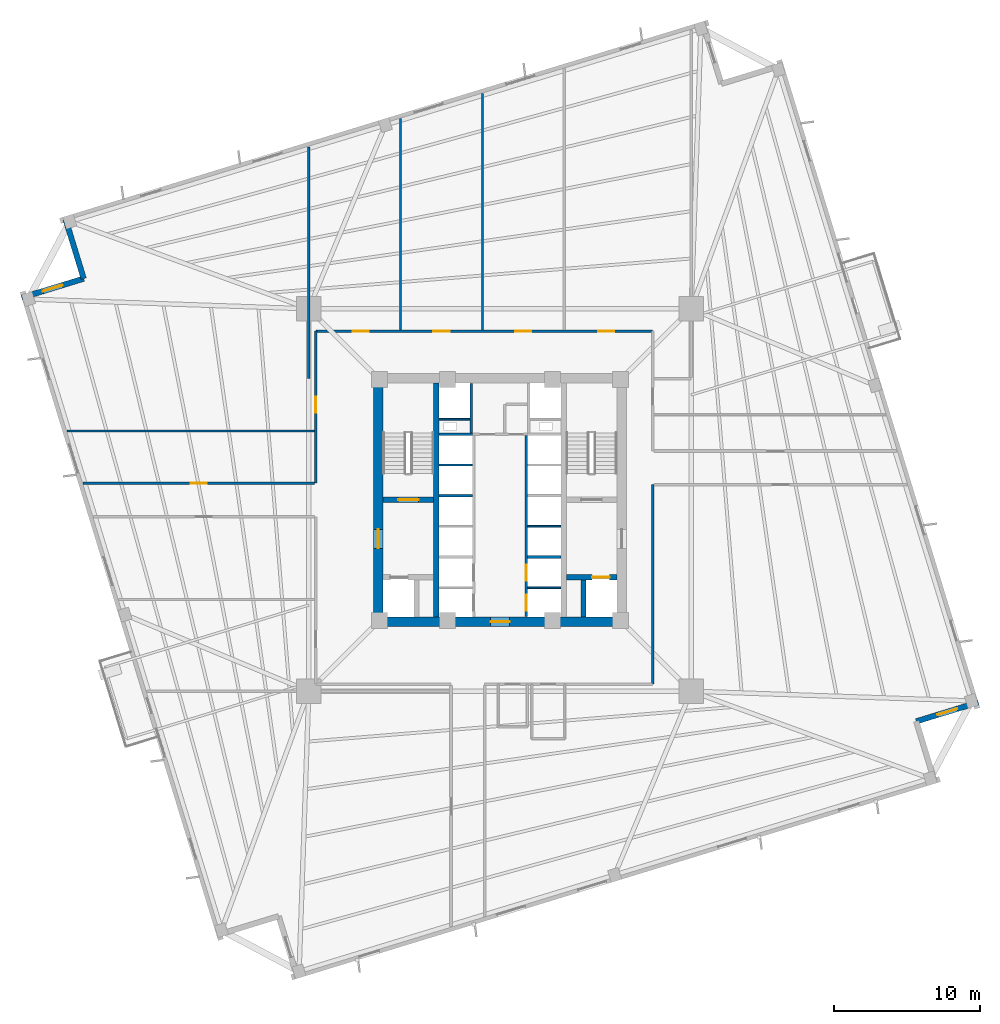
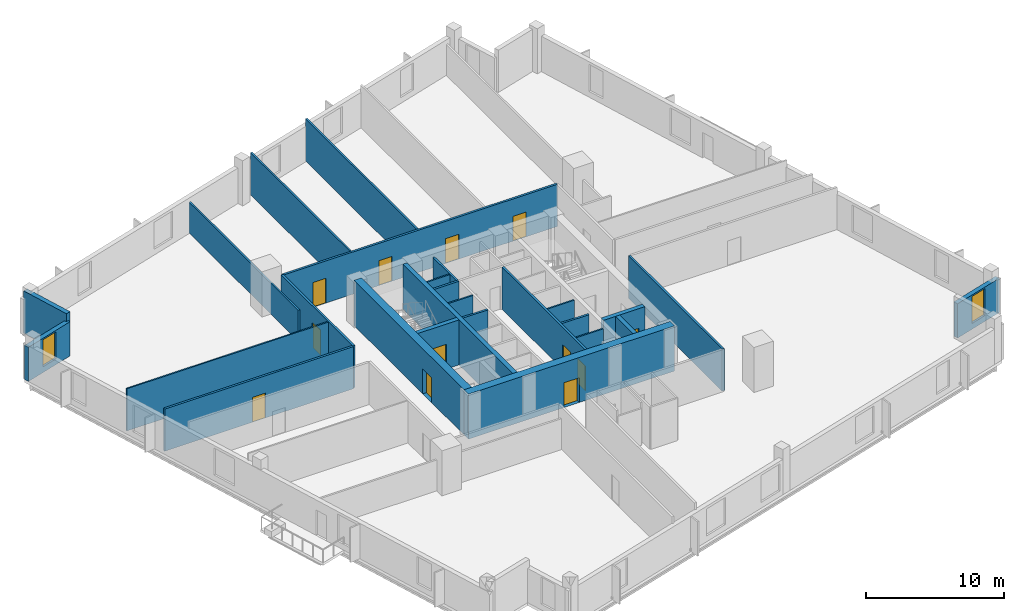
# One storey, part 4 of 9: 26 walls, 12 doors, 2 windows, 14 openings.
"""IFC4 building model written with IfcOpenShell, lengths in metres."""

from ifc_helpers import new_model, si_unit, direction, frame, frame_2d, origin, place, context, subcontext, project, spatial, rectangle, extrude, source, transform, mapped, material, layer, layer_set, type_object, element, fill, save


model = new_model("IFC4")

# Units and contexts
model_context = context("Model", 3, precision=1e-05, world=origin(), true_north=direction((0.0, 1.0)))
body_context = subcontext(model_context, "Body", "Model", "MODEL_VIEW")
ifc_project = project(units=[si_unit("LENGTHUNIT", "METRE"), si_unit("AREAUNIT", "SQUARE_METRE"), si_unit("VOLUMEUNIT", "CUBIC_METRE"), si_unit("PLANEANGLEUNIT", "RADIAN"), si_unit("MASSUNIT", "GRAM", prefix="KILO"), si_unit("THERMODYNAMICTEMPERATUREUNIT", "KELVIN")], contexts=[model_context])

# Site, building, storey
site_placement = place(None, origin())
site = spatial("IfcSite", under=ifc_project, at=site_placement, CompositionType="ELEMENT")
building_placement = place(site_placement, origin())
building = spatial("IfcBuilding", under=site, at=building_placement, Name="Kosmvard Interchange Tower", CompositionType="ELEMENT")
storey_placement = place(building_placement, frame((0.0, 0.0, 83.199951171875)))
storey = spatial("IfcBuildingStorey", under=building, at=storey_placement, Name="L19", CompositionType="ELEMENT", Elevation=83.199951171875)

# Walls
ifc_material_1 = material(Name="Acoustic gypsum partition system")
ifc_layer_1 = layer(ifc_material_1, 0.14990234375, Name="Acoustic gypsum partition system")
ifc_layer_set_1 = layer_set([ifc_layer_1], Name="Acoustic gypsum partition system")
wall_type_1 = type_object("IfcWallType", Name="Acoustic Suite & Meeting Partition 150", PredefinedType="PARTITIONING", material=ifc_layer_set_1)
wall_1_placement = place(storey_placement, frame((-13.0810546875, 8.300048828125, 0.0), z_axis=(0.0, 0.0, 1.0), x_axis=(0.0, 1.0, 0.0)))
element("IfcWall", 1, at=wall_1_placement, inside=storey, type_object=wall_type_1, Name="L19 Room Partition 02.1", PredefinedType="PARTITIONING", context=body_context, shape_type="SweptSolid", body=[
    extrude(rectangle(XDim=15.866455078125, YDim=0.14990234375, at=frame_2d((7.93310546875, 0.0))), origin(), (0.0, 0.0, 1.0), 2.73193359375),
])
wall_2_placement = place(storey_placement, frame((-6.800048828125, 11.64501953125, 0.0), z_axis=(0.0, 0.0, 1.0), x_axis=(0.0, 1.0, 0.0)))
element("IfcWall", 2, at=wall_2_placement, inside=storey, type_object=wall_type_1, Name="L19 Room Partition 03.1", PredefinedType="PARTITIONING", context=body_context, shape_type="SweptSolid", body=[
    extrude(rectangle(XDim=14.441650390625, YDim=0.14990234375, at=frame_2d((7.220703125, 0.0))), origin(), (0.0, 0.0, 1.0), 3.739990234375),
])
wall_3_placement = place(storey_placement, frame((-1.199951171875, 11.64501953125, 0.0), z_axis=(0.0, 0.0, 1.0), x_axis=(0.0, 1.0, 0.0)))
element("IfcWall", 3, at=wall_3_placement, inside=storey, type_object=wall_type_1, Name="L19 Room Partition 04.1", PredefinedType="PARTITIONING", context=body_context, shape_type="SweptSolid", body=[
    extrude(rectangle(XDim=16.15380859375, YDim=0.14990234375, at=frame_2d((8.076904296875, 0.0))), origin(), (0.0, 0.0, 1.0), 3.739990234375),
])
ifc_material_2 = material(Name="Fire-rated gypsum partition system")
ifc_layer_2 = layer(ifc_material_2, 0.159912109375, Name="Fire-rated gypsum partition system")
ifc_layer_set_2 = layer_set([ifc_layer_2], Name="Fire-rated gypsum partition system")
wall_type_2 = type_object("IfcWallType", Name="Core Compartment & Shuttle Lobby Partition 160", PredefinedType="PARTITIONING", material=ifc_layer_set_2)
wall_4_placement = place(storey_placement, frame((-1.9599609375, 4.580078125, 0.0), z_axis=(0.0, 0.0, 1.0), x_axis=(0.0, 1.0, 0.0)))
element("IfcWall", 4, at=wall_4_placement, inside=storey, type_object=wall_type_2, Name="L19 North Core West Wall", PredefinedType="PARTITIONING", context=body_context, shape_type="SweptSolid", body=[
    extrude(rectangle(XDim=3.39990234375, YDim=0.159912109375, at=frame_2d((1.699951171875, 0.0))), origin(), (0.0, 0.0, 1.0), 3.739990234375),
])

# Wall, openings, doors
ifc_layer_3 = layer(ifc_material_2, 0.179931640625, Name="Fire-rated gypsum partition system")
ifc_layer_set_3 = layer_set([ifc_layer_3], Name="Fire-rated gypsum partition system")
wall_type_3 = type_object("IfcWallType", Name="Corridor & Hotel Compartment Partition 180", PredefinedType="PARTITIONING", material=ifc_layer_set_3)
wall_5_placement = place(storey_placement, frame((1.7900390625, -7.97998046875, 0.0), z_axis=(0.0, 0.0, 1.0), x_axis=(0.0, 1.0, 0.0)))
wall_5 = element("IfcWall", 5, at=wall_5_placement, inside=storey, type_object=wall_type_3, Name="L19 East Lift Bank Front Wall", PredefinedType="PARTITIONING", context=body_context, shape_type="SweptSolid", body=[
    extrude(rectangle(XDim=12.3798828125, YDim=0.179931640625, at=frame_2d((6.18994140625, 0.0))), origin(), (0.0, 0.0, 1.0), 3.739990234375),
])
opening_1_placement = place(wall_5_placement, frame((0.39990234375, 0.0, 0.0)))
opening_1 = element("IfcOpeningElement", 6, at=opening_1_placement, cuts=wall_5, Name="Opening LD-PL-L3-L19", PredefinedType="OPENING", context=body_context, shape_type="SweptSolid", body=[
    extrude(rectangle(XDim=1.10009765625, YDim=2.199951171875, at=frame_2d((0.550048828125, 1.10009765625))), frame((0.0, 0.10009765625, 0.0), z_axis=(0.0, -1.0, 0.0), x_axis=(1.0, 0.0, 0.0)), (0.0, 0.0, 1.0), 0.199951171875),
])
opening_2_placement = place(wall_5_placement, frame((2.4599609375, 0.0, 0.0)))
opening_2 = element("IfcOpeningElement", 7, at=opening_2_placement, cuts=wall_5, Name="Opening LD-PL-L4-L19", PredefinedType="OPENING", context=body_context, shape_type="SweptSolid", body=[
    extrude(rectangle(XDim=1.10009765625, YDim=2.199951171875, at=frame_2d((0.550048828125, 1.10009765625))), frame((0.0, 0.10009765625, 0.0), z_axis=(0.0, -1.0, 0.0), x_axis=(1.0, 0.0, 0.0)), (0.0, 0.0, 1.0), 0.199951171875),
])
ifc_material_3 = material(Name="Brushed stainless steel sliding leaf", Category="steel")
door_type_1 = type_object("IfcDoorType", Name="Passenger Lift Sliding Landing Door 1100x2200 EI60", OperationType="DOUBLE_DOOR_SLIDING", PredefinedType="DOOR", material=ifc_material_3)
shared_shape_1 = source(origin(), body_context, "Body", "SweptSolid", [
    extrude(rectangle(XDim=1.10009765625, YDim=2.199951171875, at=frame_2d((0.550048828125, 1.10009765625))), frame((0.0, 0.02490234375, 0.0), z_axis=(0.0, -1.0, 0.0), x_axis=(1.0, 0.0, 0.0)), (0.0, 0.0, 1.0), 0.050048828125),
])
door_1_placement = place(opening_1_placement, origin())
door_1 = element("IfcDoor", 8, at=door_1_placement, inside=storey, type_object=door_type_1, Name="Lift PL-L3 Landing Door L19", OperationType="DOUBLE_DOOR_SLIDING", OverallHeight=2.199951171875, OverallWidth=1.10009765625, PredefinedType="DOOR", context=body_context, shape_type="MappedRepresentation", body=[
    mapped(shared_shape_1, transform((0.0, 0.0, 0.0), scale=1.0)),
])
fill(opening_1, door_1)
door_2_placement = place(opening_2_placement, origin())
door_2 = element("IfcDoor", 9, at=door_2_placement, inside=storey, type_object=door_type_1, Name="Lift PL-L4 Landing Door L19", OperationType="DOUBLE_DOOR_SLIDING", OverallHeight=2.199951171875, OverallWidth=1.10009765625, PredefinedType="DOOR", context=body_context, shape_type="MappedRepresentation", body=[
    mapped(shared_shape_1, transform((0.0, 0.0, 0.0), scale=1.0)),
])
fill(opening_2, door_2)

wall_6_placement = place(storey_placement, frame((-12.60009765625, 11.550048828125, 0.0), z_axis=(0.0, 0.0, 1.0), x_axis=(1.0, 0.0, 0.0)))
wall_6 = element("IfcWall", 10, at=wall_6_placement, inside=storey, type_object=wall_type_3, Name="L19 Corridor Wall CN", PredefinedType="PARTITIONING", context=body_context, shape_type="SweptSolid", body=[
    extrude(rectangle(XDim=23.050048828125, YDim=0.179931640625, at=frame_2d((11.52490234375, 0.0))), origin(), (0.0, 0.0, 1.0), 3.739990234375),
])
opening_3_placement = place(wall_6_placement, frame((2.514404296875, 0.0, 0.0)))
opening_3 = element("IfcOpeningElement", 11, at=opening_3_placement, cuts=wall_6, Name="Opening L19-D05", PredefinedType="OPENING", context=body_context, shape_type="SweptSolid", body=[
    extrude(rectangle(XDim=1.10009765625, YDim=2.199951171875, at=frame_2d((0.550048828125, 1.10009765625))), frame((0.0, 0.10009765625, 0.0), z_axis=(0.0, -1.0, 0.0), x_axis=(1.0, 0.0, 0.0)), (0.0, 0.0, 1.0), 0.199951171875),
])
opening_4_placement = place(wall_6_placement, frame((8.050048828125, 0.0, 0.0)))
opening_4 = element("IfcOpeningElement", 12, at=opening_4_placement, cuts=wall_6, Name="Opening L19-D06", PredefinedType="OPENING", context=body_context, shape_type="SweptSolid", body=[
    extrude(rectangle(XDim=1.10009765625, YDim=2.199951171875, at=frame_2d((0.550048828125, 1.10009765625))), frame((0.0, 0.10009765625, 0.0), z_axis=(0.0, -1.0, 0.0), x_axis=(1.0, 0.0, 0.0)), (0.0, 0.0, 1.0), 0.199951171875),
])
opening_5_placement = place(wall_6_placement, frame((13.64990234375, 0.0, 0.0)))
opening_5 = element("IfcOpeningElement", 13, at=opening_5_placement, cuts=wall_6, Name="Opening L19-D07", PredefinedType="OPENING", context=body_context, shape_type="SweptSolid", body=[
    extrude(rectangle(XDim=1.10009765625, YDim=2.199951171875, at=frame_2d((0.550048828125, 1.10009765625))), frame((0.0, 0.10009765625, 0.0), z_axis=(0.0, -1.0, 0.0), x_axis=(1.0, 0.0, 0.0)), (0.0, 0.0, 1.0), 0.199951171875),
])
opening_6_placement = place(wall_6_placement, frame((19.310546875, 0.0, 0.0)))
opening_6 = element("IfcOpeningElement", 14, at=opening_6_placement, cuts=wall_6, Name="Opening L19-D08", PredefinedType="OPENING", context=body_context, shape_type="SweptSolid", body=[
    extrude(rectangle(XDim=1.10009765625, YDim=2.199951171875, at=frame_2d((0.550048828125, 1.10009765625))), frame((0.0, 0.10009765625, 0.0), z_axis=(0.0, -1.0, 0.0), x_axis=(1.0, 0.0, 0.0)), (0.0, 0.0, 1.0), 0.199951171875),
])
ifc_material_4 = material(Name="Engineered oak fire-rated timber", Category="wood")
door_type_2 = type_object("IfcDoorType", Name="Office Suite Entrance Door 1100x2200 FD30S", OperationType="NOTDEFINED", PredefinedType="DOOR", material=ifc_material_4)
door_3_placement = place(opening_3_placement, origin())
door_3 = element("IfcDoor", 15, at=door_3_placement, inside=storey, type_object=door_type_2, Name="L19 Corporate Office 3 Door", OperationType="SINGLE_SWING_LEFT", OverallHeight=2.199951171875, OverallWidth=1.10009765625, PredefinedType="DOOR", context=body_context, shape_type="MappedRepresentation", body=[
    mapped(shared_shape_1, transform((0.0, 0.0, 0.0), scale=1.0)),
])
fill(opening_3, door_3)
door_4_placement = place(opening_4_placement, origin())
door_4 = element("IfcDoor", 16, at=door_4_placement, inside=storey, type_object=door_type_2, Name="L19 Corporate Office 4 Door", OperationType="SINGLE_SWING_RIGHT", OverallHeight=2.199951171875, OverallWidth=1.10009765625, PredefinedType="DOOR", context=body_context, shape_type="MappedRepresentation", body=[
    mapped(shared_shape_1, transform((0.0, 0.0, 0.0), scale=1.0)),
])
fill(opening_4, door_4)
door_5_placement = place(opening_5_placement, origin())
door_5 = element("IfcDoor", 17, at=door_5_placement, inside=storey, type_object=door_type_2, Name="L19 Corporate Office 5 Door", OperationType="SINGLE_SWING_LEFT", OverallHeight=2.199951171875, OverallWidth=1.10009765625, PredefinedType="DOOR", context=body_context, shape_type="MappedRepresentation", body=[
    mapped(shared_shape_1, transform((0.0, 0.0, 0.0), scale=1.0)),
])
fill(opening_5, door_5)
door_6_placement = place(opening_6_placement, origin())
door_6 = element("IfcDoor", 18, at=door_6_placement, inside=storey, type_object=door_type_2, Name="L19 Boardroom 1 Door", OperationType="SINGLE_SWING_RIGHT", OverallHeight=2.199951171875, OverallWidth=1.10009765625, PredefinedType="DOOR", context=body_context, shape_type="MappedRepresentation", body=[
    mapped(shared_shape_1, transform((0.0, 0.0, 0.0), scale=1.0)),
])
fill(opening_6, door_6)

# Wall, opening, door
wall_7_placement = place(storey_placement, frame((-12.60009765625, 1.14990234375, 0.0), z_axis=(0.0, 0.0, 1.0), x_axis=(0.0, 1.0, 0.0)))
wall_7 = element("IfcWall", 19, at=wall_7_placement, inside=storey, type_object=wall_type_3, Name="L19 Corridor Wall CWN", PredefinedType="PARTITIONING", context=body_context, shape_type="SweptSolid", body=[
    extrude(rectangle(XDim=10.400146484375, YDim=0.179931640625, at=frame_2d((5.2001953125, 0.0))), origin(), (0.0, 0.0, 1.0), 3.739990234375),
])
opening_7_placement = place(wall_7_placement, frame((4.8125, 0.0, 0.0)))
opening_7 = element("IfcOpeningElement", 20, at=opening_7_placement, cuts=wall_7, Name="Opening L19-D04", PredefinedType="OPENING", context=body_context, shape_type="SweptSolid", body=[
    extrude(rectangle(XDim=1.10009765625, YDim=2.199951171875, at=frame_2d((0.550048828125, 1.10009765625))), frame((0.0, 0.10009765625, 0.0), z_axis=(0.0, -1.0, 0.0), x_axis=(1.0, 0.0, 0.0)), (0.0, 0.0, 1.0), 0.199951171875),
])
door_7_placement = place(opening_7_placement, origin())
door_7 = element("IfcDoor", 21, at=door_7_placement, inside=storey, type_object=door_type_2, Name="L19 Corporate Office 2 Door", OperationType="SINGLE_SWING_RIGHT", OverallHeight=2.199951171875, OverallWidth=1.10009765625, PredefinedType="DOOR", context=body_context, shape_type="MappedRepresentation", body=[
    mapped(shared_shape_1, transform((0.0, 0.0, 0.0), scale=1.0)),
])
fill(opening_7, door_7)

# Wall
wall_8_placement = place(storey_placement, frame((10.449951171875, -12.60009765625, 0.0), z_axis=(0.0, 0.0, 1.0), x_axis=(0.0, 1.0, 0.0)))
element("IfcWall", 22, at=wall_8_placement, inside=storey, type_object=wall_type_3, Name="L19 Corridor Wall CES", PredefinedType="PARTITIONING", context=body_context, shape_type="SweptSolid", body=[
    extrude(rectangle(XDim=13.650146484375, YDim=0.179931640625, at=frame_2d((6.8251953125, 0.0))), origin(), (0.0, 0.0, 1.0), 3.739990234375),
])

# Wall, opening, door
wall_9_placement = place(storey_placement, frame((-28.517333984375, 1.14990234375, 0.0), z_axis=(0.0, 0.0, 1.0), x_axis=(1.0, 0.0, 0.0)))
wall_9 = element("IfcWall", 23, at=wall_9_placement, inside=storey, type_object=wall_type_3, Name="L19 Corridor Wall SWN", PredefinedType="PARTITIONING", context=body_context, shape_type="SweptSolid", body=[
    extrude(rectangle(XDim=15.8173828125, YDim=0.179931640625, at=frame_2d((7.90869140625, 0.0))), origin(), (0.0, 0.0, 1.0), 3.739990234375),
])
opening_8_placement = place(wall_9_placement, frame((7.358642578125, 0.0, 0.0)))
opening_8 = element("IfcOpeningElement", 24, at=opening_8_placement, cuts=wall_9, Name="Opening L19-D03", PredefinedType="OPENING", context=body_context, shape_type="SweptSolid", body=[
    extrude(rectangle(XDim=1.10009765625, YDim=2.199951171875, at=frame_2d((0.550048828125, 1.10009765625))), frame((0.0, 0.10009765625, 0.0), z_axis=(0.0, -1.0, 0.0), x_axis=(1.0, 0.0, 0.0)), (0.0, 0.0, 1.0), 0.199951171875),
])
door_8_placement = place(opening_8_placement, origin())
door_8 = element("IfcDoor", 25, at=door_8_placement, inside=storey, type_object=door_type_2, Name="L19 Corporate Office 1 Door", OperationType="SINGLE_SWING_LEFT", OverallHeight=2.199951171875, OverallWidth=1.10009765625, PredefinedType="DOOR", context=body_context, shape_type="MappedRepresentation", body=[
    mapped(shared_shape_1, transform((0.0, 0.0, 0.0), scale=1.0)),
])
fill(opening_8, door_8)

# Wall, opening, window
ifc_material_5 = material(Name="Precast concrete C45/55", Category="concrete")
ifc_layer_4 = layer(ifc_material_5, 0.3798828125, Name="Precast concrete C45/55")
ifc_layer_set_4 = layer_set([ifc_layer_4], Name="Precast concrete C45/55")
wall_type_4 = type_object("IfcWallType", Name="Lower Tower Precast Pier Wall 380 C45/55", PredefinedType="STANDARD", material=ifc_layer_set_4)
wall_10_placement = place(storey_placement, frame((28.482421875, -15.144287109375, 0.0), z_axis=(0.0, 0.0, 1.0), x_axis=(0.956304176051, 0.292373601522, 0.0)))
wall_10 = element("IfcWall", 26, at=wall_10_placement, inside=storey, type_object=wall_type_4, Name="L19 Precast Facade Wall N-SE2", PredefinedType="STANDARD", context=body_context, shape_type="SweptSolid", body=[
    extrude(rectangle(XDim=4.43994140625, YDim=0.3798828125, at=frame_2d((2.219970703125, 0.0))), origin(), (0.0, 0.0, 1.0), 3.0400390625),
])
opening_9_placement = place(wall_10_placement, frame((1.52001953125, 0.0, 0.510009765625)))
opening_9 = element("IfcOpeningElement", 27, at=opening_9_placement, cuts=wall_10, Name="Opening L19-W20", PredefinedType="OPENING", context=body_context, shape_type="SweptSolid", body=[
    extrude(rectangle(XDim=1.39990234375, YDim=2.39990234375, at=frame_2d((0.699951171875, 1.199951171875))), frame((0.0, 0.199951171875, 0.0), z_axis=(0.0, -1.0, 0.0), x_axis=(1.0, 0.0, 0.0)), (0.0, 0.0, 1.0), 0.39990234375),
])
ifc_material_6 = material(Name="Low-E solar-control double glazing", Category="glass")
window_type = type_object("IfcWindowType", Name="Notched Corner Feature Window 1400x2400", PartitioningType="SINGLE_PANEL", PredefinedType="WINDOW", material=ifc_material_6)
shared_shape_2 = source(origin(), body_context, "Body", "SweptSolid", [
    extrude(rectangle(XDim=1.39990234375, YDim=2.39990234375, at=frame_2d((0.699951171875, 1.199951171875))), frame((0.0, 0.030029296875, 0.0), z_axis=(0.0, -1.0, 0.0), x_axis=(1.0, 0.0, 0.0)), (0.0, 0.0, 1.0), 0.06005859375),
])
window_1_placement = place(opening_9_placement, origin())
window_1 = element("IfcWindow", 28, at=window_1_placement, inside=storey, type_object=window_type, Name="L19 Corner Notch Window 20", OverallHeight=2.39990234375, OverallWidth=1.39990234375, PartitioningType="SINGLE_PANEL", PredefinedType="WINDOW", context=body_context, shape_type="MappedRepresentation", body=[
    mapped(shared_shape_2, transform((0.0, 0.0, 0.0), scale=1.0)),
])
fill(opening_9, window_1)

# Wall
wall_11_placement = place(storey_placement, frame((-29.724853515625, 19.20849609375, 0.0), z_axis=(0.0, 0.0, 1.0), x_axis=(0.292345507338, -0.956312764915, 0.0)))
element("IfcWall", 29, at=wall_11_placement, inside=storey, type_object=wall_type_4, Name="L19 Precast Facade Wall N-NW1", PredefinedType="STANDARD", context=body_context, shape_type="SweptSolid", body=[
    extrude(rectangle(XDim=4.249755859375, YDim=0.3798828125, at=frame_2d((2.125, 0.0))), origin(), (0.0, 0.0, 1.0), 3.739990234375),
])

# Wall, opening, window
wall_12_placement = place(storey_placement, frame((-28.482421875, 15.144287109375, 0.0), z_axis=(0.0, 0.0, 1.0), x_axis=(-0.956304176051, -0.292373601522, 0.0)))
wall_12 = element("IfcWall", 30, at=wall_12_placement, inside=storey, type_object=wall_type_4, Name="L19 Precast Facade Wall N-NW2", PredefinedType="STANDARD", context=body_context, shape_type="SweptSolid", body=[
    extrude(rectangle(XDim=4.43994140625, YDim=0.3798828125, at=frame_2d((2.219970703125, 0.0))), origin(), (0.0, 0.0, 1.0), 3.0400390625),
])
opening_10_placement = place(wall_12_placement, frame((1.52001953125, 0.0, 0.510009765625)))
opening_10 = element("IfcOpeningElement", 31, at=opening_10_placement, cuts=wall_12, Name="Opening L19-W22", PredefinedType="OPENING", context=body_context, shape_type="SweptSolid", body=[
    extrude(rectangle(XDim=1.39990234375, YDim=2.39990234375, at=frame_2d((0.699951171875, 1.199951171875))), frame((0.0, 0.199951171875, 0.0), z_axis=(0.0, -1.0, 0.0), x_axis=(1.0, 0.0, 0.0)), (0.0, 0.0, 1.0), 0.39990234375),
])
window_2_placement = place(opening_10_placement, origin())
window_2 = element("IfcWindow", 32, at=window_2_placement, inside=storey, type_object=window_type, Name="L19 Corner Notch Window 22", OverallHeight=2.39990234375, OverallWidth=1.39990234375, PartitioningType="SINGLE_PANEL", PredefinedType="WINDOW", context=body_context, shape_type="MappedRepresentation", body=[
    mapped(shared_shape_2, transform((0.0, 0.0, 0.0), scale=1.0)),
])
fill(opening_10, window_2)

# Wall, opening, door
ifc_material_7 = material(Name="Concrete C70/85", Category="concrete")
ifc_layer_5 = layer(ifc_material_7, 0.64990234375, Name="Concrete C70/85")
ifc_layer_set_5 = layer_set([ifc_layer_5], Name="Concrete C70/85")
wall_type_5 = type_object("IfcWallType", Name="Mid Core Shear Wall 650 C70/85", PredefinedType="SHEAR", material=ifc_layer_set_5)
wall_13_placement = place(storey_placement, frame((-8.64990234375, -8.324951171875, 0.0), z_axis=(0.0, 0.0, 1.0), x_axis=(1.0, 0.0, 0.0)))
wall_13 = element("IfcWall", 33, at=wall_13_placement, inside=storey, type_object=wall_type_5, Name="L19 Core Shear Wall CW-S", PredefinedType="SHEAR", context=body_context, shape_type="SweptSolid", body=[
    extrude(rectangle(XDim=17.2998046875, YDim=0.64990234375, at=frame_2d((8.64990234375, 0.0))), origin(), (0.0, 0.0, 1.0), 4.0),
])
opening_11_placement = place(wall_13_placement, frame((8.0, 0.0, 0.0)))
opening_11 = element("IfcOpeningElement", 34, at=opening_11_placement, cuts=wall_13, Name="Opening L19-LD0", PredefinedType="OPENING", context=body_context, shape_type="SweptSolid", body=[
    extrude(rectangle(XDim=1.300048828125, YDim=2.199951171875, at=frame_2d((0.64990234375, 1.10009765625))), frame((0.0, 0.3349609375, 0.0), z_axis=(0.0, -1.0, 0.0), x_axis=(1.0, 0.0, 0.0)), (0.0, 0.0, 1.0), 0.669921875),
])
ifc_material_8 = material(Name="Painted fire-rated steel leaf", Category="steel")
door_type_3 = type_object("IfcDoorType", Name="Firefighting Lobby Door 1300x2200 EI60", OperationType="NOTDEFINED", PredefinedType="DOOR", material=ifc_material_8)
shared_shape_3 = source(origin(), body_context, "Body", "SweptSolid", [
    extrude(rectangle(XDim=1.300048828125, YDim=2.199951171875, at=frame_2d((0.64990234375, 1.10009765625))), frame((0.0, 0.02490234375, 0.0), z_axis=(0.0, -1.0, 0.0), x_axis=(1.0, 0.0, 0.0)), (0.0, 0.0, 1.0), 0.050048828125),
])
door_9_placement = place(opening_11_placement, frame((1.300048828125, 0.0, 0.0), z_axis=(0.0, 0.0, 1.0), x_axis=(-1.0, 0.0, 0.0)))
door_9 = element("IfcDoor", 35, at=door_9_placement, inside=storey, type_object=door_type_3, Name="L19 Passenger Lift Lobby South Door", OperationType="SINGLE_SWING_RIGHT", OverallHeight=2.199951171875, OverallWidth=1.300048828125, PredefinedType="DOOR", context=body_context, shape_type="MappedRepresentation", body=[
    mapped(shared_shape_3, transform((0.0, 0.0, 0.0), scale=1.0)),
])
fill(opening_11, door_9)

wall_14_placement = place(storey_placement, frame((-8.324951171875, -8.0, 0.0), z_axis=(0.0, 0.0, 1.0), x_axis=(0.0, 1.0, 0.0)))
wall_14 = element("IfcWall", 36, at=wall_14_placement, inside=storey, type_object=wall_type_5, Name="L19 Core Shear Wall CW-W", PredefinedType="SHEAR", context=body_context, shape_type="SweptSolid", body=[
    extrude(rectangle(XDim=16.0, YDim=0.64990234375, at=frame_2d((8.0, 0.0))), origin(), (0.0, 0.0, 1.0), 4.0),
])
opening_12_placement = place(wall_14_placement, frame((4.68994140625, 0.0, 0.0)))
opening_12 = element("IfcOpeningElement", 37, at=opening_12_placement, cuts=wall_14, Name="Opening L19-FD1", PredefinedType="OPENING", context=body_context, shape_type="SweptSolid", body=[
    extrude(rectangle(XDim=1.300048828125, YDim=2.199951171875, at=frame_2d((0.64990234375, 1.10009765625))), frame((0.0, 0.3349609375, 0.0), z_axis=(0.0, -1.0, 0.0), x_axis=(1.0, 0.0, 0.0)), (0.0, 0.0, 1.0), 0.669921875),
])
door_10_placement = place(opening_12_placement, frame((1.300048828125, 0.0, 0.0), z_axis=(0.0, 0.0, 1.0), x_axis=(-1.0, 0.0, 0.0)))
door_10 = element("IfcDoor", 38, at=door_10_placement, inside=storey, type_object=door_type_3, Name="L19 Firefighting Lobby West Door", OperationType="SINGLE_SWING_LEFT", OverallHeight=2.199951171875, OverallWidth=1.300048828125, PredefinedType="DOOR", context=body_context, shape_type="MappedRepresentation", body=[
    mapped(shared_shape_3, transform((0.0, 0.0, 0.0), scale=1.0)),
])
fill(opening_12, door_10)

# Walls
ifc_material_9 = material(Name="Gypsum board partition system")
ifc_layer_6 = layer(ifc_material_9, 0.1201171875, Name="Gypsum board partition system")
ifc_layer_set_6 = layer_set([ifc_layer_6], Name="Gypsum board partition system")
wall_type_6 = type_object("IfcWallType", Name="Office Cellular Partition 120", PredefinedType="PARTITIONING", material=ifc_layer_set_6)
wall_15_placement = place(storey_placement, frame((-29.6103515625, 4.72509765625, 0.0), z_axis=(0.0, 0.0, 1.0), x_axis=(1.0, 0.0, 0.0)))
element("IfcWall", 39, at=wall_15_placement, inside=storey, type_object=wall_type_6, Name="L19 Room Partition 08.1", PredefinedType="PARTITIONING", context=body_context, shape_type="SweptSolid", body=[
    extrude(rectangle(XDim=16.915283203125, YDim=0.1201171875, at=frame_2d((8.45751953125, 0.0))), origin(), (0.0, 0.0, 1.0), 3.739990234375),
])
ifc_material_10 = material(Name="Concrete blockwork masonry", Category="masonry")
ifc_layer_7 = layer(ifc_material_10, 0.179931640625, Name="Concrete blockwork masonry")
ifc_layer_set_7 = layer_set([ifc_layer_7], Name="Concrete blockwork masonry")
wall_type_7 = type_object("IfcWallType", Name="Riser & Lift Bank Divider Wall 180", PredefinedType="PARTITIONING", material=ifc_layer_set_7)
for number, where, z_axis, x_axis, name in (
    (40, (1.889892578125, -3.89990234375, 0.0), (0.0, 0.0, 1.0), (1.0, 0.0, 0.0), "L19 East Bank Divider BD1"),
    (41, (-4.169921875, 0.300048828125, 0.0), (0.0, 0.0, 1.0), (1.0, 0.0, 0.0), "L19 West Bank Divider BD2"),
    (42, (-4.169921875, 4.489990234375, 0.0), (0.0, 0.0, 1.0), (1.0, 0.0, 0.0), "L19 West Bank Divider BD3"),
):
    element("IfcWall", number, at=place(storey_placement, frame(where, z_axis=z_axis, x_axis=x_axis)), inside=storey, type_object=wall_type_7, Name=name, PredefinedType="PARTITIONING", context=body_context, shape_type="SweptSolid", body=[
        extrude(rectangle(XDim=2.280029296875, YDim=0.179931640625, at=frame_2d((1.14013671875, 0.0))), origin(), (0.0, 0.0, 1.0), 3.739990234375),
    ])
ifc_material_11 = material(Name="Fire-rated gypsum shaftwall system")
ifc_layer_8 = layer(ifc_material_11, 0.1201171875, Name="Fire-rated gypsum shaftwall system")
ifc_layer_set_8 = layer_set([ifc_layer_8], Name="Fire-rated gypsum shaftwall system")
wall_type_8 = type_object("IfcWallType", Name="Shaft & Riser Fire Partition 120 EI60", PredefinedType="PARTITIONING", material=ifc_layer_set_8)
for number, where, z_axis, x_axis, name in (
    (43, (1.89990234375, -6.0, 0.0), (0.0, 0.0, 1.0), (1.0, 0.0, 0.0), "L19 Shaft Divider PL-L3"),
    (44, (1.89990234375, -1.800048828125, 0.0), (0.0, 0.0, 1.0), (1.0, 0.0, 0.0), "L19 Shaft Divider PL-M3"),
    (45, (-4.159912109375, 2.39990234375, 0.0), (0.0, 0.0, 1.0), (1.0, 0.0, 0.0), "L19 Shaft Divider PL-H1"),
):
    element("IfcWall", number, at=place(storey_placement, frame(where, z_axis=z_axis, x_axis=x_axis)), inside=storey, type_object=wall_type_8, Name=name, PredefinedType="PARTITIONING", context=body_context, shape_type="SweptSolid", body=[
        extrude(rectangle(XDim=2.260009765625, YDim=0.1201171875, at=frame_2d((1.1298828125, 0.0))), origin(), (0.0, 0.0, 1.0), 3.739990234375),
    ])
wall_16_placement = place(storey_placement, frame((-4.159912109375, 5.52001953125, 0.0), z_axis=(0.0, 0.0, 1.0), x_axis=(1.0, 0.0, 0.0)))
element("IfcWall", 46, at=wall_16_placement, inside=storey, type_object=wall_type_8, Name="L19 Riser Shaft Divider W", PredefinedType="PARTITIONING", context=body_context, shape_type="SweptSolid", body=[
    extrude(rectangle(XDim=2.099853515625, YDim=0.1201171875, at=frame_2d((1.0498046875, 0.0))), origin(), (0.0, 0.0, 1.0), 3.739990234375),
])
ifc_material_12 = material(Name="Concrete C60/75", Category="concrete")
ifc_layer_9 = layer(ifc_material_12, 0.360107421875, Name="Concrete C60/75")
ifc_layer_set_9 = layer_set([ifc_layer_9], Name="Concrete C60/75")
wall_type_9 = type_object("IfcWallType", Name="Stair & Lift Shaft Shear Wall 360 C60/75", PredefinedType="SHEAR", material=ifc_layer_set_9)
wall_17_placement = place(storey_placement, frame((-4.360107421875, -8.0, 0.0), z_axis=(0.0, 0.0, 1.0), x_axis=(0.0, 1.0, 0.0)))
element("IfcWall", 47, at=wall_17_placement, inside=storey, type_object=wall_type_9, Name="L19 Shaft Shear Wall SW-W", PredefinedType="SHEAR", context=body_context, shape_type="SweptSolid", body=[
    extrude(rectangle(XDim=16.0, YDim=0.360107421875, at=frame_2d((8.0, 0.0))), origin(), (0.0, 0.0, 1.0), 4.0),
])

# Wall, opening, door
wall_18_placement = place(storey_placement, frame((-8.0, 0.02001953125, 0.0), z_axis=(0.0, 0.0, 1.0), x_axis=(1.0, 0.0, 0.0)))
wall_18 = element("IfcWall", 48, at=wall_18_placement, inside=storey, type_object=wall_type_9, Name="L19 Shaft Shear Wall SW-ST1", PredefinedType="SHEAR", context=body_context, shape_type="SweptSolid", body=[
    extrude(rectangle(XDim=3.4599609375, YDim=0.360107421875, at=frame_2d((1.72998046875, 0.0))), origin(), (0.0, 0.0, 1.0), 4.0),
])
opening_13_placement = place(wall_18_placement, frame((1.030029296875, 0.0, 0.0)))
opening_13 = element("IfcOpeningElement", 49, at=opening_13_placement, cuts=wall_18, Name="Opening L19-SD1", PredefinedType="OPENING", context=body_context, shape_type="SweptSolid", body=[
    extrude(rectangle(XDim=1.39990234375, YDim=2.199951171875, at=frame_2d((0.699951171875, 1.10009765625))), frame((0.0, 0.18994140625, 0.0), z_axis=(0.0, -1.0, 0.0), x_axis=(1.0, 0.0, 0.0)), (0.0, 0.0, 1.0), 0.380126953125),
])
door_type_4 = type_object("IfcDoorType", Name="Protected Stair Door 1400x2200 FD60S", OperationType="NOTDEFINED", PredefinedType="DOOR", material=ifc_material_8)
shared_shape_4 = source(origin(), body_context, "Body", "SweptSolid", [
    extrude(rectangle(XDim=1.39990234375, YDim=2.199951171875, at=frame_2d((0.699951171875, 1.10009765625))), frame((0.0, 0.02490234375, 0.0), z_axis=(0.0, -1.0, 0.0), x_axis=(1.0, 0.0, 0.0)), (0.0, 0.0, 1.0), 0.050048828125),
])
door_11_placement = place(opening_13_placement, origin())
door_11 = element("IfcDoor", 50, at=door_11_placement, inside=storey, type_object=door_type_4, Name="L19 Stair ST-1 Enclosure Door", OperationType="SINGLE_SWING_LEFT", OverallHeight=2.199951171875, OverallWidth=1.39990234375, PredefinedType="DOOR", context=body_context, shape_type="MappedRepresentation", body=[
    mapped(shared_shape_4, transform((0.0, 0.0, 0.0), scale=1.0)),
])
fill(opening_13, door_11)

wall_19_placement = place(storey_placement, frame((4.5400390625, -5.280029296875, 0.0), z_axis=(0.0, 0.0, 1.0), x_axis=(1.0, 0.0, 0.0)))
wall_19 = element("IfcWall", 51, at=wall_19_placement, inside=storey, type_object=wall_type_9, Name="L19 Shaft Shear Wall SW-FF2", PredefinedType="SHEAR", context=body_context, shape_type="SweptSolid", body=[
    extrude(rectangle(XDim=3.4599609375, YDim=0.360107421875, at=frame_2d((1.72998046875, 0.0))), origin(), (0.0, 0.0, 1.0), 4.0),
])
opening_14_placement = place(wall_19_placement, frame((1.760009765625, 0.0, 0.0)))
opening_14 = element("IfcOpeningElement", 52, at=opening_14_placement, cuts=wall_19, Name="Opening LD-FF-2-L19", PredefinedType="OPENING", context=body_context, shape_type="SweptSolid", body=[
    extrude(rectangle(XDim=1.199951171875, YDim=2.25, at=frame_2d((0.60009765625, 1.125))), frame((0.0, 0.18994140625, 0.0), z_axis=(0.0, -1.0, 0.0), x_axis=(1.0, 0.0, 0.0)), (0.0, 0.0, 1.0), 0.380126953125),
])
door_type_5 = type_object("IfcDoorType", Name="Firefighting Lift Sliding Landing Door 1200x2250 EI120", OperationType="DOUBLE_DOOR_SLIDING", PredefinedType="DOOR", material=ifc_material_3)
shared_shape_5 = source(origin(), body_context, "Body", "SweptSolid", [
    extrude(rectangle(XDim=1.199951171875, YDim=2.25, at=frame_2d((0.60009765625, 1.125))), frame((0.0, 0.02490234375, 0.0), z_axis=(0.0, -1.0, 0.0), x_axis=(1.0, 0.0, 0.0)), (0.0, 0.0, 1.0), 0.050048828125),
])
door_12_placement = place(opening_14_placement, origin())
door_12 = element("IfcDoor", 53, at=door_12_placement, inside=storey, type_object=door_type_5, Name="Lift FF-2 Landing Door L19", OperationType="DOUBLE_DOOR_SLIDING", OverallHeight=2.25, OverallWidth=1.199951171875, PredefinedType="DOOR", context=body_context, shape_type="MappedRepresentation", body=[
    mapped(shared_shape_5, transform((0.0, 0.0, 0.0), scale=1.0)),
])
fill(opening_14, door_12)

# Wall
wall_20_placement = place(storey_placement, frame((5.7099609375, -8.0, 0.0), z_axis=(0.0, 0.0, 1.0), x_axis=(0.0, 1.0, 0.0)))
element("IfcWall", 54, at=wall_20_placement, inside=storey, type_object=wall_type_9, Name="L19 Shaft Shear Wall SW-SM2", PredefinedType="SHEAR", context=body_context, shape_type="SweptSolid", body=[
    extrude(rectangle(XDim=2.5400390625, YDim=0.360107421875, at=frame_2d((1.27001953125, 0.0))), origin(), (0.0, 0.0, 1.0), 4.0),
])

save(model, "model.ifc")
